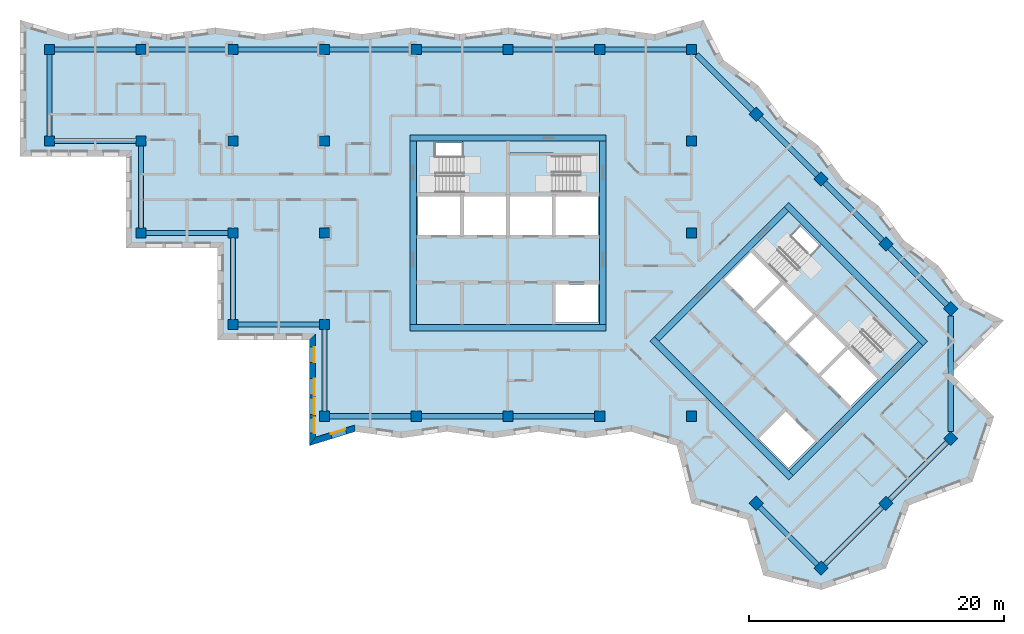
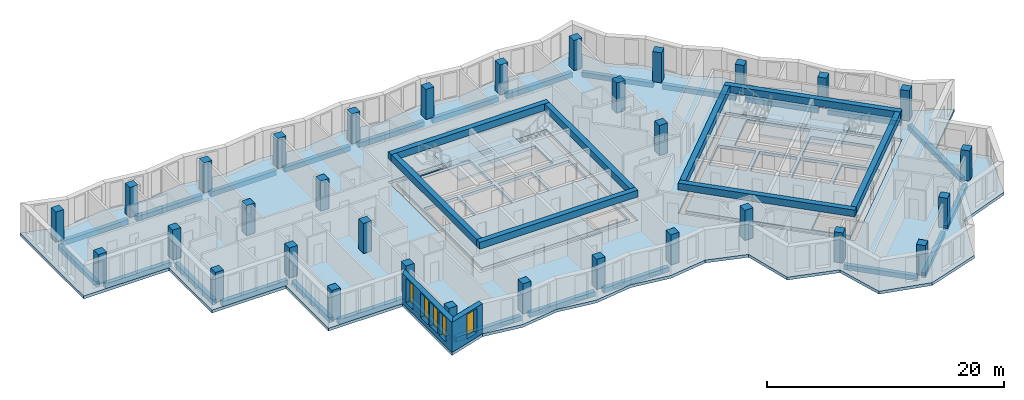
# One storey, part 1 of 12: 33 beams, 32 columns, 7 slabs, 5 windows, 2 walls, 21 openings, 4 elements without a shape of their own.
"""IFC4 building model written with IfcOpenShell, lengths in metres."""

import ifcopenshell
import ifcopenshell.guid

model = None  # the IFC model being written
_history = None  # IfcOwnerHistory: only IFC2X3 demands one
_inside = {}  # id of a spatial element -> (the spatial element, [elements in it])
_under = {}  # id of a project, library or spatial element -> (it, [spatial elements below it])
_declared = {}  # id of a project -> (the project, [libraries it declares])
_typed = {}  # id of a type object -> (the type object, [elements of that type])
_made_of = {}  # id of a material, layer set ... -> (it, [elements and type objects made of it])


def new_model(schema):
    """Start an empty IFC model of exactly this schema.

    Asked for "IFC4X3", IfcOpenShell would pick the latest addendum, in which some entities
    have other attributes; the version numbers below select the first issue.
    IFC2X3 requires an IfcOwnerHistory on every rooted entity: one is made here for all.
    """
    global model, _history
    if schema == "IFC4X3":
        model = ifcopenshell.file(schema_version=(4, 3, 0, 0))
    else:
        model = ifcopenshell.file(schema=schema)
    _inside.clear()
    _under.clear()
    _declared.clear()
    _typed.clear()
    _made_of.clear()
    _history = None
    if model.schema == "IFC2X3":
        org = make("IfcOrganization", Name="unknown")
        user = make(
            "IfcPersonAndOrganization",
            ThePerson=make("IfcPerson", FamilyName="unknown"),
            TheOrganization=org,
        )
        app = make(
            "IfcApplication",
            ApplicationDeveloper=org,
            Version="unknown",
            ApplicationFullName="unknown",
            ApplicationIdentifier="unknown",
        )
        _history = make(
            "IfcOwnerHistory",
            OwningUser=user,
            OwningApplication=app,
            ChangeAction="ADDED",
            CreationDate=0,
        )
    return model


def make(cls, **values):
    """One entity of the class cls with the attributes given. An attribute that is None is left unset."""
    return model.create_entity(
        cls, **{name: value for name, value in values.items() if value is not None}
    )


def rooted(cls, **values):
    """An entity with a GlobalId (a new one), such as an element, a storey or a relation."""
    return make(cls, GlobalId=ifcopenshell.guid.new(), OwnerHistory=_history, **values)


def si_unit(unit_type, name, prefix=None):
    """IfcSIUnit, for example si_unit("LENGTHUNIT", "METRE", prefix="MILLI")."""
    return make("IfcSIUnit", UnitType=unit_type, Prefix=prefix, Name=name)


def assignment(units):
    """IfcUnitAssignment: the units of a project."""
    return None if units is None else make("IfcUnitAssignment", Units=units)


def point(xyz):
    """IfcCartesianPoint."""
    return None if xyz is None else make("IfcCartesianPoint", Coordinates=xyz)


def direction(xyz):
    """IfcDirection."""
    return None if xyz is None else make("IfcDirection", DirectionRatios=xyz)


def frame(location, z_axis=None, x_axis=None):
    """IfcAxis2Placement3D, a coordinate frame: its origin and axes. An axis left out is left unset."""
    return make(
        "IfcAxis2Placement3D",
        Location=point(location),
        Axis=direction(z_axis),
        RefDirection=direction(x_axis),
    )


def frame_2d(location, x_axis=None):
    """IfcAxis2Placement2D, a coordinate frame in the plane: its origin and x axis."""
    return make(
        "IfcAxis2Placement2D", Location=point(location), RefDirection=direction(x_axis)
    )


def origin():
    """The frame at (0, 0, 0) with its axes left unset."""
    return frame((0.0, 0.0, 0.0))


def origin_2d():
    """The frame at (0, 0) in the plane with its x axis left unset."""
    return frame_2d((0.0, 0.0))


def place(relative_to, where):
    """IfcLocalPlacement: puts the frame where relative to a parent placement (None: the world)."""
    return make(
        "IfcLocalPlacement", PlacementRelTo=relative_to, RelativePlacement=where
    )


def context(
    kind, dimensions, precision=None, world=None, true_north=None, identifier=None
):
    """IfcGeometricRepresentationContext, for example the 3D "Model" context."""
    return make(
        "IfcGeometricRepresentationContext",
        ContextIdentifier=identifier,
        ContextType=kind,
        CoordinateSpaceDimension=dimensions,
        Precision=precision,
        WorldCoordinateSystem=world,
        TrueNorth=true_north,
    )


def subcontext(parent, identifier, kind, view, scale=None):
    """IfcGeometricRepresentationSubContext, for example "Body" below "Model"."""
    return make(
        "IfcGeometricRepresentationSubContext",
        ContextIdentifier=identifier,
        ContextType=kind,
        ParentContext=parent,
        TargetScale=scale,
        TargetView=view,
    )


def project(units=None, contexts=None):
    """IfcProject with its units and contexts."""
    return rooted(
        "IfcProject",
        Name="project",
        RepresentationContexts=contexts,
        UnitsInContext=assignment(units),
    )


def spatial(cls, under=None, at=None, **own):
    """A site, building, storey or space (cls), placed at a placement, below another one or the project."""
    s = rooted(cls, ObjectPlacement=at, **own)
    if under is not None:
        _under.setdefault(under.id(), (under, []))[1].append(s)
    return s


def polyline(points):
    """IfcPolyline through the points."""
    return make("IfcPolyline", Points=[point(p) for p in points])


def profile(cls, at=None, kind="AREA", **sizes):
    """A parametric profile (cls). Its sizes go by their IFC names, for example OverallWidth=200.0."""
    return make(cls, ProfileType=kind, Position=at, **sizes)


def rectangle(**sizes):
    """IfcRectangleProfileDef."""
    return profile("IfcRectangleProfileDef", **sizes)


def outline(outer, holes=None, kind="AREA"):
    """IfcArbitraryClosedProfileDef: a profile drawn as a closed curve; with holes, ...WithVoids."""
    if holes is None:
        return make("IfcArbitraryClosedProfileDef", ProfileType=kind, OuterCurve=outer)
    return make(
        "IfcArbitraryProfileDefWithVoids",
        ProfileType=kind,
        OuterCurve=outer,
        InnerCurves=holes,
    )


def extrude(swept, where, along, depth):
    """IfcExtrudedAreaSolid: the profile swept, set in the frame where, extruded along a direction by depth."""
    return make(
        "IfcExtrudedAreaSolid",
        SweptArea=swept,
        Position=where,
        ExtrudedDirection=direction(along),
        Depth=depth,
    )


def shape(context_of_items, identifier, shape_type, items):
    """IfcShapeRepresentation: the items that make up one representation, for example the "Body"."""
    return make(
        "IfcShapeRepresentation",
        ContextOfItems=context_of_items,
        RepresentationIdentifier=identifier,
        RepresentationType=shape_type,
        Items=items,
    )


def material(Name=None, Category=None):
    """IfcMaterial."""
    return make("IfcMaterial", Name=Name, Category=Category)


def layer(
    of_material, thickness, ventilated=None, Name=None, Category=None, Priority=None
):
    """IfcMaterialLayer: one layer of a wall or slab, of a material (None: an air gap)."""
    return make(
        "IfcMaterialLayer",
        Material=of_material,
        LayerThickness=thickness,
        IsVentilated=ventilated,
        Name=Name,
        Category=Category,
        Priority=Priority,
    )


def layer_set(layers, Name=None):
    """IfcMaterialLayerSet."""
    return make("IfcMaterialLayerSet", MaterialLayers=layers, LayerSetName=Name)


def material_profile(
    of_material, cross_section, Name=None, Category=None, Priority=None
):
    """IfcMaterialProfile: a cross section and its material."""
    return make(
        "IfcMaterialProfile",
        Name=Name,
        Material=of_material,
        Profile=cross_section,
        Priority=Priority,
        Category=Category,
    )


def profile_set(profiles, Name=None, composite=None):
    """IfcMaterialProfileSet."""
    return make(
        "IfcMaterialProfileSet",
        Name=Name,
        MaterialProfiles=profiles,
        CompositeProfile=composite,
    )


def made_of(thing, what):
    """Note that an element or type object is made of a material, layer set ...; save() writes the relation."""
    if what is not None:
        _made_of.setdefault(what.id(), (what, []))[1].append(thing)
    return thing


def type_object(cls, material=None, **own):
    """A type object (cls), such as IfcWallType, which elements share."""
    return made_of(rooted(cls, **own), material)


def element(
    cls,
    number,
    at=None,
    inside=None,
    cuts=None,
    type_object=None,
    material=None,
    context=None,
    identifier="Body",
    shape_type=None,
    held_by="IfcProductDefinitionShape",
    body=None,
    shapes=None,
    **own,
):
    """One element of the class cls, such as IfcWall. Its Tag is "e" and its number.

    at: its placement. inside: the storey or other place that contains it. cuts: it is an
    opening in that element (IfcRelVoidsElement). A single representation is given by context,
    identifier, shape_type and body (its items); several are given by shapes. held_by: the class
    of the entity that holds the representations. save() writes the other relations.
    """
    e = rooted(cls, Tag="e%d" % number, ObjectPlacement=at, **own)
    if body is not None:
        shapes = [shape(context, identifier, shape_type, body)]
    if shapes is not None:
        e.Representation = make(held_by, Representations=shapes)
    if inside is not None:
        _inside.setdefault(inside.id(), (inside, []))[1].append(e)
    if cuts is not None:
        rooted(
            "IfcRelVoidsElement", RelatingBuildingElement=cuts, RelatedOpeningElement=e
        )
    if type_object is not None:
        _typed.setdefault(type_object.id(), (type_object, []))[1].append(e)
    return made_of(e, material)


def fill(opening, filler):
    """IfcRelFillsElement: the door or window that sits in an opening."""
    return rooted(
        "IfcRelFillsElement",
        RelatingOpeningElement=opening,
        RelatedBuildingElement=filler,
    )


def aggregate(whole, parts):
    """IfcRelAggregates: a whole, such as a stair, and the parts it consists of."""
    return rooted("IfcRelAggregates", RelatingObject=whole, RelatedObjects=parts)


def save(model, path):
    """Write the relations noted so far, then the file.

    IfcRelAggregates (storeys below a building ...), IfcRelContainedInSpatialStructure (elements
    in a storey), IfcRelDefinesByType, IfcRelAssociatesMaterial and IfcRelDeclares: one each for
    every whole, place, type object, material and project.
    """
    for whole, parts in _under.values():
        aggregate(whole, parts)
    for where, things in _inside.values():
        rooted(
            "IfcRelContainedInSpatialStructure",
            RelatedElements=things,
            RelatingStructure=where,
        )
    for kind, things in _typed.values():
        rooted("IfcRelDefinesByType", RelatedObjects=things, RelatingType=kind)
    for what, things in _made_of.values():
        rooted("IfcRelAssociatesMaterial", RelatedObjects=things, RelatingMaterial=what)
    for by, libraries in _declared.values():
        rooted("IfcRelDeclares", RelatingContext=by, RelatedDefinitions=libraries)
    model.write(path)


model = new_model("IFC4")

# Units and contexts
model_context = context("Model", 3, precision=1e-05, world=origin(), true_north=direction((0.0, 1.0)))
body_context = subcontext(model_context, "Body", "Model", "MODEL_VIEW")
ifc_project = project(units=[si_unit("LENGTHUNIT", "METRE"), si_unit("AREAUNIT", "SQUARE_METRE"), si_unit("VOLUMEUNIT", "CUBIC_METRE"), si_unit("PLANEANGLEUNIT", "RADIAN"), si_unit("MASSUNIT", "GRAM", prefix="KILO")], contexts=[model_context])

# Site, building, storey
site_placement = place(None, origin())
site = spatial("IfcSite", under=ifc_project, at=site_placement, CompositionType="ELEMENT")
building_placement = place(site_placement, origin())
building = spatial("IfcBuilding", under=site, at=building_placement, Name="Windrow Commons", CompositionType="ELEMENT")
storey_placement = place(building_placement, frame((0.0, 0.0, 213.4)))
storey = spatial("IfcBuildingStorey", under=building, at=storey_placement, Name="L58", CompositionType="ELEMENT", Elevation=213.4)

# Columns
ifc_material_1 = material(Name="Concrete C50/60", Category="concrete")
ifc_material_profile_1 = material_profile(ifc_material_1, rectangle(XDim=0.8, YDim=0.8, at=origin_2d()))
ifc_profile_set_1 = profile_set([ifc_material_profile_1], Name="Concrete C50/60")
column_type = type_object("IfcColumnType", Name="RC COLUMN 800x800 C50/60", PredefinedType="COLUMN", material=ifc_profile_set_1)
for number, where, z_axis, x_axis, name in (
    (1, (28.8, 64.8, 0.0), (0.0, 0.0, 1.0), (1.0, 0.0, 0.0), "C-Z4-05I"),
    (2, (28.8, 72.0, 0.0), (0.0, 0.0, 1.0), (1.0, 0.0, 0.0), "C-Z4-05J"),
    (3, (36.0, 57.6, 0.0), (0.0, 0.0, 1.0), (1.0, 0.0, 0.0), "C-Z4-06H"),
    (4, (36.0, 64.8, 0.0), (0.0, 0.0, 1.0), (1.0, 0.0, 0.0), "C-Z4-06I"),
    (5, (36.0, 72.0, 0.0), (0.0, 0.0, 1.0), (1.0, 0.0, 0.0), "C-Z4-06J"),
    (6, (43.2, 50.4, 0.0), (0.0, 0.0, 1.0), (1.0, 0.0, 0.0), "C-Z4-07G"),
    (7, (43.2, 57.6, 0.0), (0.0, 0.0, 1.0), (1.0, 0.0, 0.0), "C-Z4-07H"),
    (8, (43.2, 64.8, 0.0), (0.0, 0.0, 1.0), (1.0, 0.0, 0.0), "C-Z4-07I"),
    (9, (43.2, 72.0, 0.0), (0.0, 0.0, 1.0), (1.0, 0.0, 0.0), "C-Z4-07J"),
    (10, (50.4, 43.2, 0.0), (0.0, 0.0, 1.0), (1.0, 0.0, 0.0), "C-Z4-08F"),
    (11, (50.4, 50.4, 0.0), (0.0, 0.0, 1.0), (1.0, 0.0, 0.0), "C-Z4-08G"),
    (12, (50.4, 57.6, 0.0), (0.0, 0.0, 1.0), (1.0, 0.0, 0.0), "C-Z4-08H"),
    (13, (50.4, 64.8, 0.0), (0.0, 0.0, 1.0), (1.0, 0.0, 0.0), "C-Z4-08I"),
    (14, (50.4, 72.0, 0.0), (0.0, 0.0, 1.0), (1.0, 0.0, 0.0), "C-Z4-08J"),
    (15, (57.6, 43.2, 0.0), (0.0, 0.0, 1.0), (1.0, 0.0, 0.0), "C-Z4-09F"),
    (16, (57.6, 72.0, 0.0), (0.0, 0.0, 1.0), (1.0, 0.0, 0.0), "C-Z4-09J"),
    (17, (64.8, 43.2, 0.0), (0.0, 0.0, 1.0), (1.0, 0.0, 0.0), "C-Z4-10F"),
    (18, (64.8, 72.0, 0.0), (0.0, 0.0, 1.0), (1.0, 0.0, 0.0), "C-Z4-10J"),
    (19, (72.0, 43.2, 0.0), (0.0, 0.0, 1.0), (1.0, 0.0, 0.0), "C-Z4-11F"),
    (20, (72.0, 72.0, 0.0), (0.0, 0.0, 1.0), (1.0, 0.0, 0.0), "C-Z4-11J"),
    (21, (79.2, 43.2, 0.0), (0.0, 0.0, 1.0), (1.0, 0.0, 0.0), "C-Z4-12F"),
    (22, (79.2, 57.6, 0.0), (0.0, 0.0, 1.0), (1.0, 0.0, 0.0), "C-Z4-12H"),
    (23, (79.2, 64.8, 0.0), (0.0, 0.0, 1.0), (1.0, 0.0, 0.0), "C-Z4-12I"),
    (24, (79.2, 72.0, 0.0), (0.0, 0.0, 1.0), (1.0, 0.0, 0.0), "C-Z4-12J"),
    (25, (84.2912, 66.9088, 0.0), (0.0, 0.0, 1.0), (0.7071067812, -0.7071067812, 0.0), "C-Z4-P2Q"),
    (26, (89.3823, 61.8177, 0.0), (0.0, 0.0, 1.0), (0.7071067812, -0.7071067812, 0.0), "C-Z4-P3Q"),
    (27, (94.4735, 56.7265, 0.0), (0.0, 0.0, 1.0), (0.7071067812, -0.7071067812, 0.0), "C-Z4-P4Q"),
    (28, (99.5647, 51.6353, 0.0), (0.0, 0.0, 1.0), (0.7071067812, -0.7071067812, 0.0), "C-Z4-P5Q"),
    (29, (84.2912, 36.3618, 0.0), (0.0, 0.0, 1.0), (0.7071067812, -0.7071067812, 0.0), "C-Z4-P5T"),
    (30, (99.5647, 41.453, 0.0), (0.0, 0.0, 1.0), (0.7071067812, -0.7071067812, 0.0), "C-Z4-P6R"),
    (31, (94.4735, 36.3618, 0.0), (0.0, 0.0, 1.0), (0.7071067812, -0.7071067812, 0.0), "C-Z4-P6S"),
    (32, (89.3823, 31.2706, 0.0), (0.0, 0.0, 1.0), (0.7071067812, -0.7071067812, 0.0), "C-Z4-P6T"),
):
    element("IfcColumn", number, at=place(storey_placement, frame(where, z_axis=z_axis, x_axis=x_axis)), inside=storey, type_object=column_type, Name=name, PredefinedType="COLUMN", context=body_context, shape_type="SweptSolid", body=[
        extrude(rectangle(XDim=0.8, YDim=0.8, at=origin_2d()), origin(), (0.0, 0.0, 1.0), 3.1),
    ])

# Beams
ifc_material_2 = material(Name="Concrete C40/50", Category="concrete")
ifc_material_profile_2 = material_profile(ifc_material_2, rectangle(XDim=0.5, YDim=0.7, at=origin_2d()))
ifc_profile_set_2 = profile_set([ifc_material_profile_2], Name="Concrete C40/50")
beam_type_1 = type_object("IfcBeamType", Name="RC COUPLING BEAM 500x700 C40/50", PredefinedType="LINTEL", material=ifc_profile_set_2)
for number, where, z_axis, x_axis, name in (
    (33, (57.1, 50.15, 2.75), (1.0, 0.0, 0.0), (0.0, 1.0, 0.0), "Core A coupling beam outer-S"),
    (34, (57.1, 65.05, 2.75), (1.0, 0.0, 0.0), (0.0, 1.0, 0.0), "Core A coupling beam outer-N"),
):
    element("IfcBeam", number, at=place(storey_placement, frame(where, z_axis=z_axis, x_axis=x_axis)), inside=storey, type_object=beam_type_1, Name=name, PredefinedType="LINTEL", context=body_context, shape_type="SweptSolid", body=[
        extrude(rectangle(XDim=0.5, YDim=0.7, at=origin_2d()), origin(), (0.0, 0.0, 1.0), 15.4),
    ])
for number, where, z_axis, x_axis, name in (
    (35, (57.35, 50.4, 2.75), (0.0, 1.0, 0.0), (-1.0, 0.0, 0.0), "Core A coupling beam outer-W"),
    (36, (72.25, 50.4, 2.75), (0.0, 1.0, 0.0), (-1.0, 0.0, 0.0), "Core A coupling beam outer-E"),
):
    element("IfcBeam", number, at=place(storey_placement, frame(where, z_axis=z_axis, x_axis=x_axis)), inside=storey, type_object=beam_type_1, Name=name, PredefinedType="LINTEL", context=body_context, shape_type="SweptSolid", body=[
        extrude(rectangle(XDim=0.5, YDim=0.7, at=origin_2d()), origin(), (0.0, 0.0, 1.0), 14.4),
    ])
for number, where, z_axis, x_axis, name in (
    (37, (76.1241, 49.2665, 2.75), (0.7071067812, -0.7071067812, 0.0), (0.7071067812, 0.7071067812, 0.0), "Core B coupling beam outer-S"),
    (38, (86.66, 59.8024, 2.75), (0.7071067812, -0.7071067812, 0.0), (0.7071067812, 0.7071067812, 0.0), "Core B coupling beam outer-N"),
):
    element("IfcBeam", number, at=place(storey_placement, frame(where, z_axis=z_axis, x_axis=x_axis)), inside=storey, type_object=beam_type_1, Name=name, PredefinedType="LINTEL", context=body_context, shape_type="SweptSolid", body=[
        extrude(rectangle(XDim=0.5, YDim=0.7, at=origin_2d()), origin(), (0.0, 0.0, 1.0), 15.3999),
    ])
for number, where, z_axis, x_axis, name in (
    (39, (76.4776, 49.2665, 2.75), (0.7071067812, 0.7071067812, 0.0), (-0.7071067812, 0.7071067812, 0.0), "Core B coupling beam outer-W"),
    (40, (87.0135, 38.7306, 2.75), (0.7071067812, 0.7071067812, 0.0), (-0.7071067812, 0.7071067812, 0.0), "Core B coupling beam outer-E"),
):
    element("IfcBeam", number, at=place(storey_placement, frame(where, z_axis=z_axis, x_axis=x_axis)), inside=storey, type_object=beam_type_1, Name=name, PredefinedType="LINTEL", context=body_context, shape_type="SweptSolid", body=[
        extrude(rectangle(XDim=0.5, YDim=0.7, at=origin_2d()), origin(), (0.0, 0.0, 1.0), 14.4001),
    ])
ifc_material_3 = material(Name="Concrete C40/50", Category="concrete")
ifc_material_profile_3 = material_profile(ifc_material_3, rectangle(XDim=0.4, YDim=0.5, at=origin_2d()))
ifc_profile_set_3 = profile_set([ifc_material_profile_3], Name="Concrete C40/50")
beam_type_2 = type_object("IfcBeamType", Name="RC EDGE BEAM 400x500 C40/50", PredefinedType="SPANDREL", material=ifc_profile_set_3)
for number, where, z_axis, x_axis, name in (
    (41, (57.2, 43.2, -0.55), (-1.0, 0.0, 0.0), (0.0, -1.0, 0.0), "Edge beam L58 001"),
    (42, (50.4, 43.6, -0.55), (0.0, 1.0, 0.0), (-1.0, 0.0, 0.0), "Edge beam L58 002"),
    (43, (50.0, 50.4, -0.55), (-1.0, 0.0, 0.0), (0.0, -1.0, 0.0), "Edge beam L58 003"),
    (44, (43.2, 50.8, -0.55), (0.0, 1.0, 0.0), (-1.0, 0.0, 0.0), "Edge beam L58 004"),
    (45, (42.8, 57.6, -0.55), (-1.0, 0.0, 0.0), (0.0, -1.0, 0.0), "Edge beam L58 005"),
    (46, (36.0, 58.0, -0.55), (0.0, 1.0, 0.0), (-1.0, 0.0, 0.0), "Edge beam L58 006"),
    (47, (35.6, 64.8, -0.55), (-1.0, 0.0, 0.0), (0.0, -1.0, 0.0), "Edge beam L58 007"),
    (48, (28.8, 65.2, -0.55), (0.0, 1.0, 0.0), (-1.0, 0.0, 0.0), "Edge beam L58 008"),
    (49, (29.2, 72.0, -0.55), (1.0, 0.0, 0.0), (0.0, 1.0, 0.0), "Edge beam L58 009"),
    (50, (36.4, 72.0, -0.55), (1.0, 0.0, 0.0), (0.0, 1.0, 0.0), "Edge beam L58 010"),
    (51, (43.6, 72.0, -0.55), (1.0, 0.0, 0.0), (0.0, 1.0, 0.0), "Edge beam L58 011"),
    (52, (50.8, 72.0, -0.55), (1.0, 0.0, 0.0), (0.0, 1.0, 0.0), "Edge beam L58 012"),
    (53, (58.0, 72.0, -0.55), (1.0, 0.0, 0.0), (0.0, 1.0, 0.0), "Edge beam L58 013"),
    (54, (65.2, 72.0, -0.55), (1.0, 0.0, 0.0), (0.0, 1.0, 0.0), "Edge beam L58 014"),
    (55, (72.4, 72.0, -0.55), (1.0, 0.0, 0.0), (0.0, 1.0, 0.0), "Edge beam L58 015"),
):
    element("IfcBeam", number, at=place(storey_placement, frame(where, z_axis=z_axis, x_axis=x_axis)), inside=storey, type_object=beam_type_2, Name=name, PredefinedType="SPANDREL", context=body_context, shape_type="SweptSolid", body=[
        extrude(rectangle(XDim=0.4, YDim=0.5, at=origin_2d()), origin(), (0.0, 0.0, 1.0), 6.4),
    ])
beam_1_placement = place(storey_placement, frame((79.6, 71.6, -0.55), z_axis=(0.7071067812, -0.7071067812, 0.0), x_axis=(0.7071067812, 0.7071067812, 0.0)))
element("IfcBeam", 56, at=beam_1_placement, inside=storey, type_object=beam_type_2, Name="Edge beam L58 016", PredefinedType="SPANDREL", context=body_context, shape_type="SweptSolid", body=[
    extrude(rectangle(XDim=0.4, YDim=0.5, at=origin_2d()), origin(), (0.0, 0.0, 1.0), 6.2344),
])
beam_2_placement = place(storey_placement, frame((84.574, 66.626, -0.55), z_axis=(0.7071067812, -0.7071067812, 0.0), x_axis=(0.7071067812, 0.7071067812, 0.0)))
element("IfcBeam", 57, at=beam_2_placement, inside=storey, type_object=beam_type_2, Name="Edge beam L58 017", PredefinedType="SPANDREL", context=body_context, shape_type="SweptSolid", body=[
    extrude(rectangle(XDim=0.4, YDim=0.5, at=origin_2d()), origin(), (0.0, 0.0, 1.0), 6.4),
])
for number, where, z_axis, x_axis, name in (
    (58, (89.6651, 61.5349, -0.55), (0.7071067812, -0.7071067812, 0.0), (0.7071067812, 0.7071067812, 0.0), "Edge beam L58 018"),
    (59, (94.7563, 56.4437, -0.55), (0.7071067812, -0.7071067812, 0.0), (0.7071067812, 0.7071067812, 0.0), "Edge beam L58 019"),
):
    element("IfcBeam", number, at=place(storey_placement, frame(where, z_axis=z_axis, x_axis=x_axis)), inside=storey, type_object=beam_type_2, Name=name, PredefinedType="SPANDREL", context=body_context, shape_type="SweptSolid", body=[
        extrude(rectangle(XDim=0.4, YDim=0.5, at=origin_2d()), origin(), (0.0, 0.0, 1.0), 6.4002),
    ])
beam_3_placement = place(storey_placement, frame((99.5647, 51.0696, -0.55), z_axis=(0.0, -1.0, 0.0), x_axis=(1.0, 0.0, 0.0)))
element("IfcBeam", 60, at=beam_3_placement, inside=storey, type_object=beam_type_2, Name="Edge beam L58 020", PredefinedType="SPANDREL", context=body_context, shape_type="SweptSolid", body=[
    extrude(rectangle(XDim=0.4, YDim=0.5, at=origin_2d()), origin(), (0.0, 0.0, 1.0), 9.0509),
])
for number, where, z_axis, x_axis, name in (
    (61, (99.2819, 41.1702, -0.55), (-0.7071067812, -0.7071067812, 0.0), (0.7071067812, -0.7071067812, 0.0), "Edge beam L58 021"),
    (62, (94.1907, 36.079, -0.55), (-0.7071067812, -0.7071067812, 0.0), (0.7071067812, -0.7071067812, 0.0), "Edge beam L58 022"),
):
    element("IfcBeam", number, at=place(storey_placement, frame(where, z_axis=z_axis, x_axis=x_axis)), inside=storey, type_object=beam_type_2, Name=name, PredefinedType="SPANDREL", context=body_context, shape_type="SweptSolid", body=[
        extrude(rectangle(XDim=0.4, YDim=0.5, at=origin_2d()), origin(), (0.0, 0.0, 1.0), 6.4002),
    ])
beam_4_placement = place(storey_placement, frame((89.0995, 31.5534, -0.55), z_axis=(-0.7070989688, 0.7071145935, 0.0), x_axis=(-0.7071145935, -0.7070989688, 0.0)))
element("IfcBeam", 63, at=beam_4_placement, inside=storey, type_object=beam_type_2, Name="Edge beam L58 023", PredefinedType="SPANDREL", context=body_context, shape_type="SweptSolid", body=[
    extrude(rectangle(XDim=0.4, YDim=0.5, at=origin_2d()), origin(), (0.0, 0.0, 1.0), 6.4001),
])
for number, where, z_axis, x_axis, name in (
    (64, (71.6, 43.2, -0.55), (-1.0, 0.0, 0.0), (0.0, -1.0, 0.0), "Edge beam L58 024"),
    (65, (64.4, 43.2, -0.55), (-1.0, 0.0, 0.0), (0.0, -1.0, 0.0), "Edge beam L58 025"),
):
    element("IfcBeam", number, at=place(storey_placement, frame(where, z_axis=z_axis, x_axis=x_axis)), inside=storey, type_object=beam_type_2, Name=name, PredefinedType="SPANDREL", context=body_context, shape_type="SweptSolid", body=[
        extrude(rectangle(XDim=0.4, YDim=0.5, at=origin_2d()), origin(), (0.0, 0.0, 1.0), 6.4),
    ])

# Slab, openings
ifc_material_4 = material(Name="Concrete C40/50", Category="concrete")
ifc_layer_1 = layer(ifc_material_4, 0.3)
ifc_layer_set_1 = layer_set([ifc_layer_1], Name="CORE FLOOR SLAB 300 C40/50")
slab_type_1 = type_object("IfcSlabType", Name="CORE FLOOR SLAB 300 C40/50", PredefinedType="FLOOR", material=ifc_layer_set_1)
placement_1 = place(storey_placement, frame((0.0, 0.0, -0.3)))
slab_1 = element("IfcSlab", 66, at=placement_1, inside=storey, type_object=slab_type_1, Name="S-L58-core-A", PredefinedType="FLOOR", context=body_context, shape_type="SweptSolid", body=[
    extrude(outline(polyline([(57.6, 50.4), (72.0, 50.4), (72.0, 64.8), (57.6, 64.8), (57.6, 50.4)]), holes=[polyline([(68.55, 50.55), (71.85, 50.55), (71.85, 53.55), (68.55, 53.55), (68.55, 50.55)]), polyline([(57.75, 57.45), (61.05, 57.45), (61.05, 60.45), (57.75, 60.45), (57.75, 57.45)]), polyline([(61.35, 57.45), (64.65, 57.45), (64.65, 60.45), (61.35, 60.45), (61.35, 57.45)]), polyline([(64.95, 57.45), (68.25, 57.45), (68.25, 60.45), (64.95, 60.45), (64.95, 57.45)]), polyline([(68.55, 57.45), (71.85, 57.45), (71.85, 60.45), (68.55, 60.45), (68.55, 57.45)]), polyline([(59.1, 60.75), (64.65, 60.75), (64.65, 64.65), (59.1, 64.65), (59.1, 60.75)]), polyline([(64.95, 60.75), (70.5, 60.75), (70.5, 63.705), (64.95, 63.705), (64.95, 60.75)])]), origin(), (0.0, 0.0, 1.0), 0.3),
])
opening_1_placement = place(placement_1, origin())
element("IfcOpeningElement", 67, at=opening_1_placement, cuts=slab_1, Name="Slab opening S-L58-core-A 1", PredefinedType="OPENING", context=body_context, shape_type="SweptSolid", body=[
    extrude(outline(polyline([(68.555, 50.555), (68.555, 53.545), (71.845, 53.545), (71.845, 50.555), (68.555, 50.555)])), origin(), (0.0, 0.0, 1.0), 0.3),
])
opening_2_placement = place(placement_1, origin())
element("IfcOpeningElement", 68, at=opening_2_placement, cuts=slab_1, Name="Slab opening S-L58-core-A 2", PredefinedType="OPENING", context=body_context, shape_type="SweptSolid", body=[
    extrude(outline(polyline([(57.755, 57.455), (57.755, 60.445), (61.045, 60.445), (61.045, 57.455), (57.755, 57.455)])), origin(), (0.0, 0.0, 1.0), 0.3),
])
opening_3_placement = place(placement_1, origin())
element("IfcOpeningElement", 69, at=opening_3_placement, cuts=slab_1, Name="Slab opening S-L58-core-A 3", PredefinedType="OPENING", context=body_context, shape_type="SweptSolid", body=[
    extrude(outline(polyline([(61.355, 57.455), (61.355, 60.445), (64.645, 60.445), (64.645, 57.455), (61.355, 57.455)])), origin(), (0.0, 0.0, 1.0), 0.3),
])
opening_4_placement = place(placement_1, origin())
element("IfcOpeningElement", 70, at=opening_4_placement, cuts=slab_1, Name="Slab opening S-L58-core-A 4", PredefinedType="OPENING", context=body_context, shape_type="SweptSolid", body=[
    extrude(outline(polyline([(64.955, 57.455), (64.955, 60.445), (68.245, 60.445), (68.245, 57.455), (64.955, 57.455)])), origin(), (0.0, 0.0, 1.0), 0.3),
])
opening_5_placement = place(placement_1, origin())
element("IfcOpeningElement", 71, at=opening_5_placement, cuts=slab_1, Name="Slab opening S-L58-core-A 5", PredefinedType="OPENING", context=body_context, shape_type="SweptSolid", body=[
    extrude(outline(polyline([(68.555, 57.455), (68.555, 60.445), (71.845, 60.445), (71.845, 57.455), (68.555, 57.455)])), origin(), (0.0, 0.0, 1.0), 0.3),
])
opening_6_placement = place(placement_1, origin())
element("IfcOpeningElement", 72, at=opening_6_placement, cuts=slab_1, Name="Slab opening S-L58-core-A 6", PredefinedType="OPENING", context=body_context, shape_type="SweptSolid", body=[
    extrude(outline(polyline([(59.105, 60.755), (59.105, 64.645), (64.645, 64.645), (64.645, 60.755), (59.105, 60.755)])), origin(), (0.0, 0.0, 1.0), 0.3),
])
opening_7_placement = place(placement_1, origin())
element("IfcOpeningElement", 73, at=opening_7_placement, cuts=slab_1, Name="Slab opening S-L58-core-A 7", PredefinedType="OPENING", context=body_context, shape_type="SweptSolid", body=[
    extrude(outline(polyline([(64.955, 60.755), (64.955, 63.7), (70.495, 63.7), (70.495, 60.755), (64.955, 60.755)])), origin(), (0.0, 0.0, 1.0), 0.3),
])

slab_2 = element("IfcSlab", 74, at=placement_1, inside=storey, type_object=slab_type_1, Name="S-L58-core-B", PredefinedType="FLOOR", context=body_context, shape_type="SweptSolid", body=[
    extrude(outline(polyline([(76.6544, 49.0897), (86.8368, 38.9074), (97.0191, 49.0897), (86.8368, 59.2721), (76.6544, 49.0897)]), holes=[polyline([(84.5033, 41.453), (86.8368, 39.1195), (88.9581, 41.2409), (86.6246, 43.5743), (84.5033, 41.453)]), polyline([(81.7456, 53.9688), (84.079, 51.6353), (86.2004, 53.7566), (83.8669, 56.0901), (81.7456, 53.9688)]), polyline([(84.2912, 51.4232), (86.6246, 49.0897), (88.7459, 51.2111), (86.4125, 53.5445), (84.2912, 51.4232)]), polyline([(86.8368, 48.8776), (89.1702, 46.5442), (91.2915, 48.6655), (88.9581, 50.9989), (86.8368, 48.8776)]), polyline([(89.3823, 46.332), (91.7158, 43.9986), (93.8371, 46.1199), (91.5037, 48.4533), (89.3823, 46.332)]), polyline([(85.0336, 55.3476), (88.9581, 51.4232), (91.7158, 54.1809), (87.7913, 58.1054), (85.0336, 55.3476)]), polyline([(89.1702, 51.2111), (93.0946, 47.2866), (95.1841, 49.3761), (91.2597, 53.3006), (89.1702, 51.2111)])]), origin(), (0.0, 0.0, 1.0), 0.3),
])
opening_8_placement = place(placement_1, origin())
element("IfcOpeningElement", 75, at=opening_8_placement, cuts=slab_2, Name="Slab opening S-L58-core-B 1", PredefinedType="OPENING", context=body_context, shape_type="SweptSolid", body=[
    extrude(outline(polyline([(84.5104, 41.453), (86.6246, 43.5672), (88.951, 41.2409), (86.8368, 39.1266), (84.5104, 41.453)])), origin(), (0.0, 0.0, 1.0), 0.3),
])
opening_9_placement = place(placement_1, origin())
element("IfcOpeningElement", 76, at=opening_9_placement, cuts=slab_2, Name="Slab opening S-L58-core-B 2", PredefinedType="OPENING", context=body_context, shape_type="SweptSolid", body=[
    extrude(outline(polyline([(81.7527, 53.9688), (83.8669, 56.083), (86.1933, 53.7566), (84.079, 51.6424), (81.7527, 53.9688)])), origin(), (0.0, 0.0, 1.0), 0.3),
])
opening_10_placement = place(placement_1, origin())
element("IfcOpeningElement", 77, at=opening_10_placement, cuts=slab_2, Name="Slab opening S-L58-core-B 3", PredefinedType="OPENING", context=body_context, shape_type="SweptSolid", body=[
    extrude(outline(polyline([(84.2983, 51.4232), (86.4125, 53.5374), (88.7388, 51.2111), (86.6246, 49.0968), (84.2983, 51.4232)])), origin(), (0.0, 0.0, 1.0), 0.3),
])
opening_11_placement = place(placement_1, origin())
element("IfcOpeningElement", 78, at=opening_11_placement, cuts=slab_2, Name="Slab opening S-L58-core-B 4", PredefinedType="OPENING", context=body_context, shape_type="SweptSolid", body=[
    extrude(outline(polyline([(86.8439, 48.8776), (88.9581, 50.9918), (91.2844, 48.6655), (89.1702, 46.5513), (86.8439, 48.8776)])), origin(), (0.0, 0.0, 1.0), 0.3),
])
opening_12_placement = place(placement_1, origin())
element("IfcOpeningElement", 79, at=opening_12_placement, cuts=slab_2, Name="Slab opening S-L58-core-B 5", PredefinedType="OPENING", context=body_context, shape_type="SweptSolid", body=[
    extrude(outline(polyline([(89.3894, 46.332), (91.5037, 48.4462), (93.83, 46.1199), (91.7158, 44.0057), (89.3894, 46.332)])), origin(), (0.0, 0.0, 1.0), 0.3),
])
opening_13_placement = place(placement_1, origin())
element("IfcOpeningElement", 80, at=opening_13_placement, cuts=slab_2, Name="Slab opening S-L58-core-B 6", PredefinedType="OPENING", context=body_context, shape_type="SweptSolid", body=[
    extrude(outline(polyline([(85.0407, 55.3476), (87.7913, 58.0983), (91.7087, 54.1809), (88.9581, 51.4303), (85.0407, 55.3476)])), origin(), (0.0, 0.0, 1.0), 0.3),
])
opening_14_placement = place(placement_1, origin())
element("IfcOpeningElement", 81, at=opening_14_placement, cuts=slab_2, Name="Slab opening S-L58-core-B 7", PredefinedType="OPENING", context=body_context, shape_type="SweptSolid", body=[
    extrude(outline(polyline([(89.1773, 51.2111), (91.2597, 53.2935), (95.177, 49.3761), (93.0946, 47.2937), (89.1773, 51.2111)])), origin(), (0.0, 0.0, 1.0), 0.3),
])

# Stair, slab
ifc_material_5 = material(Name="Concrete C40/50", Category="concrete")
stair_type = type_object("IfcStairType", Name="Core stair", PredefinedType="HALF_TURN_STAIR", material=ifc_material_5)
placement_2 = place(storey_placement, origin())
stair_1 = element("IfcStair", 82, at=placement_2, inside=storey, type_object=stair_type, Name="L58 Exit stair A1 core A", PredefinedType="HALF_TURN_STAIR")
ifc_material_6 = material(Name="Concrete C40/50", Category="concrete")
ifc_layer_2 = layer(ifc_material_6, 0.2)
ifc_layer_set_2 = layer_set([ifc_layer_2], Name="Core stair landing")
slab_type_2 = type_object("IfcSlabType", Name="Core stair landing", PredefinedType="LANDING", material=ifc_layer_set_2)
placement_3 = place(storey_placement, frame((0.0, 0.0, 1.5)))
slab_3 = element("IfcSlab", 83, at=placement_3, type_object=slab_type_2, Name="ST-A1 landing 1", PredefinedType="LANDING", context=body_context, shape_type="SweptSolid", body=[
    extrude(outline(polyline([(61.22, 60.5), (64.8, 60.5), (64.8, 64.9), (61.22, 64.9), (61.22, 60.5)])), origin(), (0.0, 0.0, 1.0), 0.2),
])
aggregate(stair_1, [slab_3])

stair_2 = element("IfcStair", 84, at=placement_2, inside=storey, type_object=stair_type, Name="L58 Exit stair A2 core A", PredefinedType="HALF_TURN_STAIR")
slab_4 = element("IfcSlab", 85, at=placement_3, type_object=slab_type_2, Name="ST-A2 landing 1", PredefinedType="LANDING", context=body_context, shape_type="SweptSolid", body=[
    extrude(outline(polyline([(64.8, 60.5), (68.38, 60.5), (68.38, 63.855), (64.8, 63.855), (64.8, 60.5)])), origin(), (0.0, 0.0, 1.0), 0.2),
])
aggregate(stair_2, [slab_4])

stair_3 = element("IfcStair", 86, at=placement_2, inside=storey, type_object=stair_type, Name="L58 Exit stair B1 core B", PredefinedType="HALF_TURN_STAIR")
slab_5 = element("IfcSlab", 87, at=placement_3, type_object=slab_type_2, Name="ST-B1 landing 1", PredefinedType="LANDING", context=body_context, shape_type="SweptSolid", body=[
    extrude(outline(polyline([(86.3559, 53.6718), (88.8874, 51.1403), (91.9986, 54.2516), (89.4672, 56.7831), (86.3559, 53.6718)])), origin(), (0.0, 0.0, 1.0), 0.2),
])
aggregate(stair_3, [slab_5])

stair_4 = element("IfcStair", 88, at=placement_2, inside=storey, type_object=stair_type, Name="L58 Exit stair B2 core B", PredefinedType="HALF_TURN_STAIR")
slab_6 = element("IfcSlab", 89, at=placement_3, type_object=slab_type_2, Name="ST-B2 landing 1", PredefinedType="LANDING", context=body_context, shape_type="SweptSolid", body=[
    extrude(outline(polyline([(88.8874, 51.1403), (91.4188, 48.6089), (93.7911, 50.9812), (91.2597, 53.5127), (88.8874, 51.1403)])), origin(), (0.0, 0.0, 1.0), 0.2),
])
aggregate(stair_4, [slab_6])

# Slab, openings
ifc_material_7 = material(Name="Concrete C40/50", Category="concrete")
ifc_layer_3 = layer(ifc_material_7, 0.3)
ifc_layer_set_3 = layer_set([ifc_layer_3], Name="FLOOR SLAB 300 C40/50")
slab_type_3 = type_object("IfcSlabType", Name="FLOOR SLAB 300 C40/50", PredefinedType="FLOOR", material=ifc_layer_set_3)
slab_7 = element("IfcSlab", 90, at=placement_1, inside=storey, type_object=slab_type_3, Name="S-L58-floor", PredefinedType="FLOOR", context=body_context, shape_type="SweptSolid", body=[
    extrude(outline(polyline([(84.8566, 30.7051), (89.3823, 29.5736), (94.4735, 31.2706), (96.312, 36.2204), (101.2617, 38.0588), (102.9588, 43.15), (99.5647, 46.5442), (103.7451, 50.7246), (100.6001, 52.297), (98.6034, 55.0178), (95.8826, 57.0145), (93.8859, 59.7353), (91.1651, 61.732), (89.1684, 64.4528), (86.4476, 66.4495), (84.4509, 69.1703), (81.7301, 71.167), (80.1577, 74.312), (76.3242, 73.2), (72.4906, 73.712), (68.6571, 73.2), (64.8235, 73.712), (60.99, 73.2), (57.1564, 73.712), (53.3229, 73.2), (49.4893, 73.712), (45.6558, 73.2), (41.8222, 73.712), (37.9887, 73.2), (34.1551, 73.712), (30.3216, 73.2), (26.488, 74.312), (26.488, 63.6), (34.8, 63.6), (34.8, 56.4), (42.0, 56.4), (42.0, 49.2), (49.2, 49.2), (49.2, 40.888), (52.8085, 42.0), (56.417, 41.488), (60.0255, 42.0), (63.634, 41.488), (67.2424, 42.0), (70.8509, 41.488), (74.4594, 42.0), (78.0679, 40.888), (79.1994, 36.3623), (83.5837, 35.0894), (84.8566, 30.7051)]), holes=[polyline([(75.9473, 49.0897), (86.8368, 59.9792), (97.7262, 49.0897), (86.8368, 38.2003), (75.9473, 49.0897)]), polyline([(57.1, 49.9), (57.1, 65.3), (72.5, 65.3), (72.5, 49.9), (57.1, 49.9)])]), origin(), (0.0, 0.0, 1.0), 0.3),
])
opening_15_placement = place(placement_1, origin())
element("IfcOpeningElement", 91, at=opening_15_placement, cuts=slab_7, Name="Slab opening S-L58-floor 1", PredefinedType="OPENING", context=body_context, shape_type="SweptSolid", body=[
    extrude(outline(polyline([(75.9544, 49.0897), (86.8368, 59.9721), (97.7191, 49.0897), (86.8368, 38.2074), (75.9544, 49.0897)])), origin(), (0.0, 0.0, 1.0), 0.3),
])
opening_16_placement = place(placement_1, origin())
element("IfcOpeningElement", 92, at=opening_16_placement, cuts=slab_7, Name="Slab opening S-L58-floor 2", PredefinedType="OPENING", context=body_context, shape_type="SweptSolid", body=[
    extrude(outline(polyline([(57.105, 49.905), (57.105, 65.295), (72.495, 65.295), (72.495, 49.905), (57.105, 49.905)])), origin(), (0.0, 0.0, 1.0), 0.3),
])

# Wall, openings, windows
ifc_material_8 = material(Name="Brick masonry, red clay brick", Category="masonry")
ifc_layer_4 = layer(ifc_material_8, 0.5)
ifc_layer_set_4 = layer_set([ifc_layer_4], Name="Brick facade wall 500")
wall_type = type_object("IfcWallType", Name="Brick facade wall 500", PredefinedType="SOLIDWALL", material=ifc_layer_set_4)
wall_1_placement = place(storey_placement, frame((49.45, 49.45, 0.0), z_axis=(0.0, 0.0, 1.0), x_axis=(0.0, -1.0, 0.0)))
wall_1 = element("IfcWall", 93, at=wall_1_placement, inside=storey, type_object=wall_type, Name="Brick facade wall L58 37", PredefinedType="SOLIDWALL", context=body_context, shape_type="SweptSolid", body=[
    extrude(outline(polyline([(0.25, -0.25), (8.562, -0.25), (7.8847, 0.25), (-0.25, 0.25), (0.25, -0.25)])), origin(), (0.0, 0.0, 1.0), 3.1),
])
opening_17_placement = place(wall_1_placement, frame((3.3, 0.0, 0.45)))
opening_17 = element("IfcOpeningElement", 94, at=opening_17_placement, cuts=wall_1, Name="Opening W1Q", PredefinedType="OPENING", context=body_context, shape_type="SweptSolid", body=[
    extrude(rectangle(XDim=1.3, YDim=2.5, at=frame_2d((0.65, 1.25))), frame((0.0, 0.26, 0.0), z_axis=(0.0, -1.0, 0.0), x_axis=(1.0, 0.0, 0.0)), (0.0, 0.0, 1.0), 0.52),
])
opening_18_placement = place(wall_1_placement, frame((4.8, 0.0, 0.45)))
opening_18 = element("IfcOpeningElement", 95, at=opening_18_placement, cuts=wall_1, Name="Opening W1Q", PredefinedType="OPENING", context=body_context, shape_type="SweptSolid", body=[
    extrude(rectangle(XDim=1.3, YDim=2.5, at=frame_2d((0.65, 1.25))), frame((0.0, 0.26, 0.0), z_axis=(0.0, -1.0, 0.0), x_axis=(1.0, 0.0, 0.0)), (0.0, 0.0, 1.0), 0.52),
])
opening_19_placement = place(wall_1_placement, frame((0.825, 0.0, 0.45)))
opening_19 = element("IfcOpeningElement", 96, at=opening_19_placement, cuts=wall_1, Name="Opening W7E", PredefinedType="OPENING", context=body_context, shape_type="SweptSolid", body=[
    extrude(rectangle(XDim=1.2, YDim=2.5, at=frame_2d((0.6, 1.25))), frame((0.0, 0.26, 0.0), z_axis=(0.0, -1.0, 0.0), x_axis=(1.0, 0.0, 0.0)), (0.0, 0.0, 1.0), 0.52),
])
opening_20_placement = place(wall_1_placement, frame((6.3674, 0.0, 0.45)))
opening_20 = element("IfcOpeningElement", 97, at=opening_20_placement, cuts=wall_1, Name="Opening W7E", PredefinedType="OPENING", context=body_context, shape_type="SweptSolid", body=[
    extrude(rectangle(XDim=1.2, YDim=2.5, at=frame_2d((0.6, 1.25))), frame((0.0, 0.26, 0.0), z_axis=(0.0, -1.0, 0.0), x_axis=(1.0, 0.0, 0.0)), (0.0, 0.0, 1.0), 0.52),
])
ifc_material_9 = material(Name="Clear float glass in anodised aluminium frame", Category="aluminium")
window_type_1 = type_object("IfcWindowType", Name="Window W1Q pair 1300x2500", PartitioningType="SINGLE_PANEL", PredefinedType="WINDOW", material=ifc_material_9)
window_1_placement = place(opening_17_placement, origin())
window_1 = element("IfcWindow", 98, at=window_1_placement, inside=storey, type_object=window_type_1, Name="Window L58 37.1A", OverallHeight=2.5, OverallWidth=1.3, PartitioningType="SINGLE_PANEL", PredefinedType="WINDOW", context=body_context, shape_type="SweptSolid", body=[
    extrude(rectangle(XDim=1.3, YDim=2.5, at=frame_2d((0.65, 1.25))), frame((0.0, 0.18, 0.0), z_axis=(0.0, -1.0, 0.0), x_axis=(1.0, 0.0, 0.0)), (0.0, 0.0, 1.0), 0.06),
])
fill(opening_17, window_1)
window_2_placement = place(opening_18_placement, origin())
window_2 = element("IfcWindow", 99, at=window_2_placement, inside=storey, type_object=window_type_1, Name="Window L58 37.1B", OverallHeight=2.5, OverallWidth=1.3, PartitioningType="SINGLE_PANEL", PredefinedType="WINDOW", context=body_context, shape_type="SweptSolid", body=[
    extrude(rectangle(XDim=1.3, YDim=2.5, at=frame_2d((0.65, 1.25))), frame((0.0, 0.18, 0.0), z_axis=(0.0, -1.0, 0.0), x_axis=(1.0, 0.0, 0.0)), (0.0, 0.0, 1.0), 0.06),
])
fill(opening_18, window_2)
ifc_material_10 = material(Name="Clear float glass in anodised aluminium frame", Category="aluminium")
window_type_2 = type_object("IfcWindowType", Name="Window W7 notch 1200x2500", PartitioningType="SINGLE_PANEL", PredefinedType="WINDOW", material=ifc_material_10)
window_3_placement = place(opening_19_placement, origin())
window_3 = element("IfcWindow", 100, at=window_3_placement, inside=storey, type_object=window_type_2, Name="Window L58 37.2", OverallHeight=2.5, OverallWidth=1.2, PartitioningType="SINGLE_PANEL", PredefinedType="WINDOW", context=body_context, shape_type="SweptSolid", body=[
    extrude(rectangle(XDim=1.2, YDim=2.5, at=frame_2d((0.6, 1.25))), frame((0.0, 0.18, 0.0), z_axis=(0.0, -1.0, 0.0), x_axis=(1.0, 0.0, 0.0)), (0.0, 0.0, 1.0), 0.06),
])
fill(opening_19, window_3)
window_4_placement = place(opening_20_placement, origin())
window_4 = element("IfcWindow", 101, at=window_4_placement, inside=storey, type_object=window_type_2, Name="Window L58 37.3", OverallHeight=2.5, OverallWidth=1.2, PartitioningType="SINGLE_PANEL", PredefinedType="WINDOW", context=body_context, shape_type="SweptSolid", body=[
    extrude(rectangle(XDim=1.2, YDim=2.5, at=frame_2d((0.6, 1.25))), frame((0.0, 0.18, 0.0), z_axis=(0.0, -1.0, 0.0), x_axis=(1.0, 0.0, 0.0)), (0.0, 0.0, 1.0), 0.06),
])
fill(opening_20, window_4)

# Wall, opening, window
wall_2_placement = place(storey_placement, frame((49.45, 41.2266, 0.0), z_axis=(0.0, 0.0, 1.0), x_axis=(0.9556476946, 0.2945122812, 0.0)))
wall_2 = element("IfcWall", 102, at=wall_2_placement, inside=storey, type_object=wall_type, Name="Brick facade wall L58 38", PredefinedType="SOLIDWALL", context=body_context, shape_type="SweptSolid", body=[
    extrude(outline(polyline([(-0.3386, -0.25), (3.4373, -0.25), (3.5491, 0.25), (0.3386, 0.25), (-0.3386, -0.25)])), origin(), (0.0, 0.0, 1.0), 3.1),
])
opening_21_placement = place(wall_2_placement, frame((1.5436, 0.0, 0.45)))
opening_21 = element("IfcOpeningElement", 103, at=opening_21_placement, cuts=wall_2, Name="Opening W7E", PredefinedType="OPENING", context=body_context, shape_type="SweptSolid", body=[
    extrude(rectangle(XDim=1.2, YDim=2.5, at=frame_2d((0.6, 1.25))), frame((0.0, 0.26, 0.0), z_axis=(0.0, -1.0, 0.0), x_axis=(1.0, 0.0, 0.0)), (0.0, 0.0, 1.0), 0.52),
])
window_5_placement = place(opening_21_placement, origin())
window_5 = element("IfcWindow", 104, at=window_5_placement, inside=storey, type_object=window_type_2, Name="Window L58 38.1", OverallHeight=2.5, OverallWidth=1.2, PartitioningType="SINGLE_PANEL", PredefinedType="WINDOW", context=body_context, shape_type="SweptSolid", body=[
    extrude(rectangle(XDim=1.2, YDim=2.5, at=frame_2d((0.6, 1.25))), frame((0.0, 0.18, 0.0), z_axis=(0.0, -1.0, 0.0), x_axis=(1.0, 0.0, 0.0)), (0.0, 0.0, 1.0), 0.06),
])
fill(opening_21, window_5)

save(model, "model.ifc")
